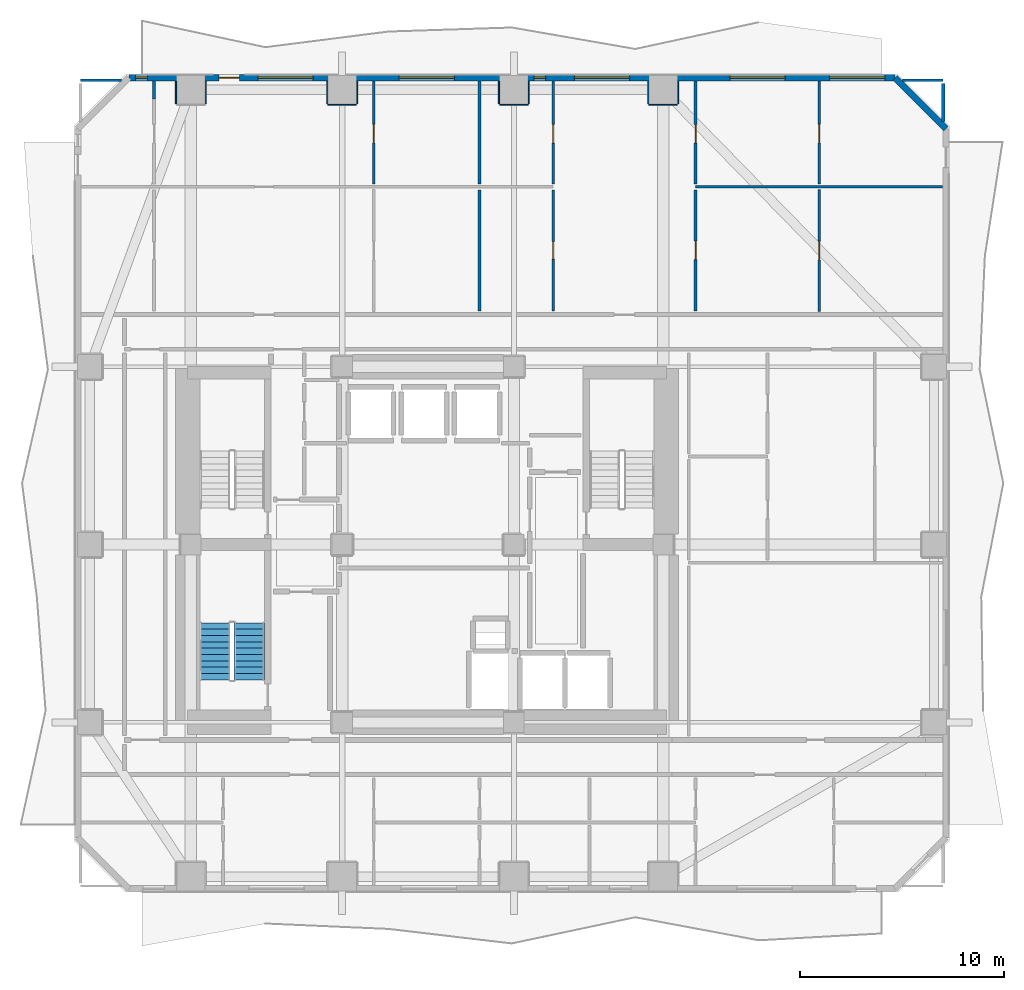
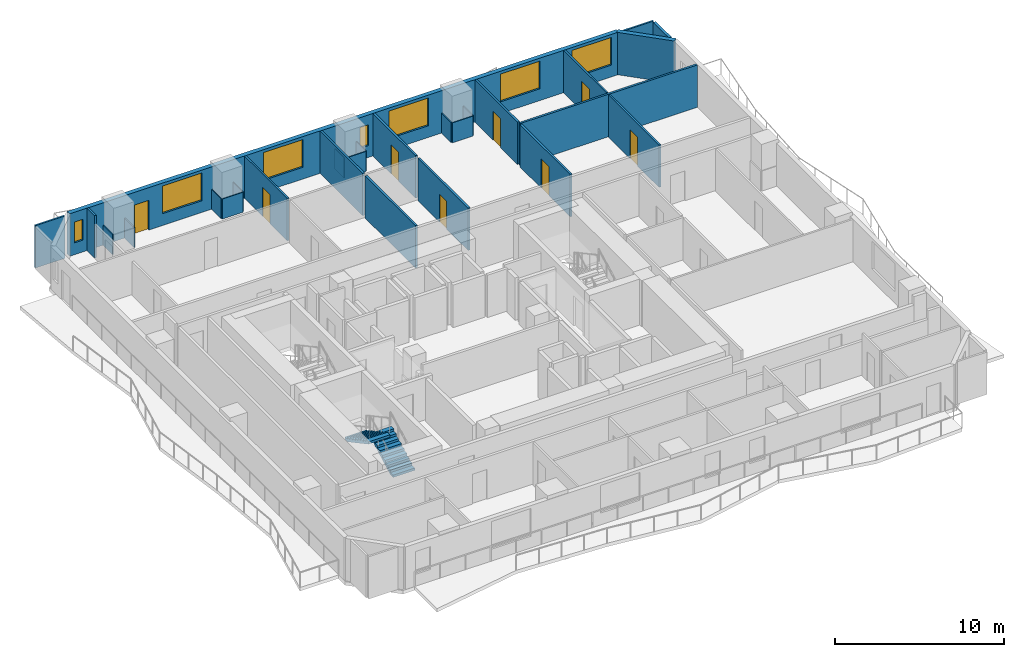
# One storey, part 6 of 11: 27 walls, 8 doors, 7 windows, 2 stair flights, 15 openings, 1 element without a shape of its own.
"""IFC4 building model written with IfcOpenShell, lengths in metres."""

from ifc_helpers import new_model, si_unit, direction, frame, frame_2d, origin, place, context, subcontext, project, spatial, polyline, rectangle, outline, extrude, material, layer, layer_set, type_object, element, fill, aggregate, save


model = new_model("IFC4")

# Units and contexts
model_context = context("Model", 3, precision=1e-05, world=origin(), true_north=direction((0.0, 1.0)))
body_context = subcontext(model_context, "Body", "Model", "MODEL_VIEW")
ifc_project = project(units=[si_unit("LENGTHUNIT", "METRE"), si_unit("AREAUNIT", "SQUARE_METRE"), si_unit("VOLUMEUNIT", "CUBIC_METRE"), si_unit("PLANEANGLEUNIT", "RADIAN"), si_unit("MASSUNIT", "GRAM", prefix="KILO")], contexts=[model_context])

# Site, building, storey
site_placement = place(None, origin())
site = spatial("IfcSite", under=ifc_project, at=site_placement, CompositionType="ELEMENT")
building_placement = place(site_placement, origin())
building = spatial("IfcBuilding", under=site, at=building_placement, Name="Solanera Arch Residences", CompositionType="ELEMENT")
storey_placement = place(building_placement, frame((0.0, 0.0, 68.47998046875)))
storey = spatial("IfcBuildingStorey", under=building, at=storey_placement, Name="L19", CompositionType="ELEMENT", Elevation=68.47998046875)

# Walls
ifc_material_1 = material(Name="Fire-Rated Gypsum Stud Partition", Category="gypsum")
ifc_layer_1 = layer(ifc_material_1, 0.06005859375)
ifc_layer_set_1 = layer_set([ifc_layer_1], Name="Fire-Rated Gypsum Stud Partition")
wall_type_1 = type_object("IfcWallType", Name="Column Acoustic Furring Wall 60", PredefinedType="PARTITIONING", material=ifc_layer_set_1)
for number, where, z_axis, x_axis, name in (
    (1, (12.66796875, 52.25, 0.0), (0.0, 0.0, 1.0), (0.0, 1.0, 0.0), "L19 Column Furring 10W"),
    (2, (14.132080078125, 52.25, 0.0), (0.0, 0.0, 1.0), (0.0, 1.0, 0.0), "L19 Column Furring 10E"),
):
    element("IfcWall", number, at=place(storey_placement, frame(where, z_axis=z_axis, x_axis=x_axis)), inside=storey, type_object=wall_type_1, Name=name, PredefinedType="PARTITIONING", context=body_context, shape_type="SweptSolid", body=[
        extrude(rectangle(XDim=1.1201171875, YDim=0.06005859375, at=frame_2d((0.56005859375, 0.0))), origin(), (0.0, 0.0, 1.0), 1.449951171875),
    ])
wall_1_placement = place(storey_placement, frame((20.10009765625, 52.218017578125, 0.0), z_axis=(0.0, 0.0, 1.0), x_axis=(1.0, 0.0, 0.0)))
element("IfcWall", 3, at=wall_1_placement, inside=storey, type_object=wall_type_1, Name="L19 Column Furring 12S", PredefinedType="PARTITIONING", context=body_context, shape_type="SweptSolid", body=[
    extrude(rectangle(XDim=1.39990234375, YDim=0.06005859375, at=frame_2d((0.699951171875, 0.0))), origin(), (0.0, 0.0, 1.0), 1.449951171875),
])
for number, where, z_axis, x_axis, name in (
    (4, (20.068115234375, 52.25, 0.0), (0.0, 0.0, 1.0), (0.0, 1.0, 0.0), "L19 Column Furring 12W"),
    (5, (21.531982421875, 52.25, 0.0), (0.0, 0.0, 1.0), (0.0, 1.0, 0.0), "L19 Column Furring 12E"),
):
    element("IfcWall", number, at=place(storey_placement, frame(where, z_axis=z_axis, x_axis=x_axis)), inside=storey, type_object=wall_type_1, Name=name, PredefinedType="PARTITIONING", context=body_context, shape_type="SweptSolid", body=[
        extrude(rectangle(XDim=1.1201171875, YDim=0.06005859375, at=frame_2d((0.56005859375, 0.0))), origin(), (0.0, 0.0, 1.0), 1.449951171875),
    ])
wall_2_placement = place(storey_placement, frame((28.5, 52.218017578125, 0.0), z_axis=(0.0, 0.0, 1.0), x_axis=(1.0, 0.0, 0.0)))
element("IfcWall", 6, at=wall_2_placement, inside=storey, type_object=wall_type_1, Name="L19 Column Furring 14S", PredefinedType="PARTITIONING", context=body_context, shape_type="SweptSolid", body=[
    extrude(rectangle(XDim=1.39990234375, YDim=0.06005859375, at=frame_2d((0.699951171875, 0.0))), origin(), (0.0, 0.0, 1.0), 1.449951171875),
])
for number, where, z_axis, x_axis, name in (
    (7, (28.468017578125, 52.25, 0.0), (0.0, 0.0, 1.0), (0.0, 1.0, 0.0), "L19 Column Furring 14W"),
    (8, (29.931884765625, 52.25, 0.0), (0.0, 0.0, 1.0), (0.0, 1.0, 0.0), "L19 Column Furring 14E"),
):
    element("IfcWall", number, at=place(storey_placement, frame(where, z_axis=z_axis, x_axis=x_axis)), inside=storey, type_object=wall_type_1, Name=name, PredefinedType="PARTITIONING", context=body_context, shape_type="SweptSolid", body=[
        extrude(rectangle(XDim=1.1201171875, YDim=0.06005859375, at=frame_2d((0.56005859375, 0.0))), origin(), (0.0, 0.0, 1.0), 1.449951171875),
    ])
wall_3_placement = place(storey_placement, frame((35.800048828125, 52.218017578125, 0.0), z_axis=(0.0, 0.0, 1.0), x_axis=(1.0, 0.0, 0.0)))
element("IfcWall", 9, at=wall_3_placement, inside=storey, type_object=wall_type_1, Name="L19 Column Furring 16S", PredefinedType="PARTITIONING", context=body_context, shape_type="SweptSolid", body=[
    extrude(rectangle(XDim=1.39990234375, YDim=0.06005859375, at=frame_2d((0.699951171875, 0.0))), origin(), (0.0, 0.0, 1.0), 1.449951171875),
])
for number, where, z_axis, x_axis, name in (
    (10, (35.76806640625, 52.25, 0.0), (0.0, 0.0, 1.0), (0.0, 1.0, 0.0), "L19 Column Furring 16W"),
    (11, (37.23193359375, 52.25, 0.0), (0.0, 0.0, 1.0), (0.0, 1.0, 0.0), "L19 Column Furring 16E"),
):
    element("IfcWall", number, at=place(storey_placement, frame(where, z_axis=z_axis, x_axis=x_axis)), inside=storey, type_object=wall_type_1, Name=name, PredefinedType="PARTITIONING", context=body_context, shape_type="SweptSolid", body=[
        extrude(rectangle(XDim=1.1201171875, YDim=0.06005859375, at=frame_2d((0.56005859375, 0.0))), origin(), (0.0, 0.0, 1.0), 1.449951171875),
    ])
ifc_material_2 = material(Name="Autoclaved Aerated Concrete Blockwork", Category="masonry")
ifc_layer_2 = layer(ifc_material_2, 0.179931640625)
ifc_layer_set_2 = layer_set([ifc_layer_2], Name="Autoclaved Aerated Concrete Blockwork")
wall_type_2 = type_object("IfcWallType", Name="Corridor Fire Partition 180", PredefinedType="PARTITIONING", material=ifc_layer_set_2)
wall_4_placement = place(storey_placement, frame((50.199951171875, 51.39892578125, 0.0), z_axis=(0.0, 0.0, 1.0), x_axis=(0.0, 1.0, 0.0)))
element("IfcWall", 12, at=wall_4_placement, inside=storey, type_object=wall_type_2, Name="L19 Interior Partition V9 2", PredefinedType="PARTITIONING", context=body_context, shape_type="SweptSolid", body=[
    extrude(rectangle(XDim=1.843017578125, YDim=0.179931640625, at=frame_2d((0.92138671875, 0.0))), origin(), (0.0, 0.0, 1.0), 3.06005859375),
])

# Wall, openings, door, windows
ifc_material_3 = material(Name="Precast Concrete C35/45", Category="concrete")
ifc_layer_3 = layer(ifc_material_3, 0.300048828125)
ifc_layer_set_3 = layer_set([ifc_layer_3], Name="Precast Concrete C35/45")
wall_type_3 = type_object("IfcWallType", Name="Exterior Wall Precast Masonry-Frame 300", PredefinedType="STANDARD", material=ifc_layer_set_3)
wall_5_placement = place(storey_placement, frame((10.364990234375, 53.534912109375, 0.0), z_axis=(0.0, 0.0, 1.0), x_axis=(1.0, 0.0, 0.0)))
wall_5 = element("IfcWall", 13, at=wall_5_placement, inside=storey, type_object=wall_type_3, Name="L19 Tower Exterior Precast Masonry-Frame Wall N", PredefinedType="STANDARD", context=body_context, shape_type="SweptSolid", body=[
    extrude(rectangle(XDim=37.469970703125, YDim=0.300048828125, at=frame_2d((18.73486328125, 0.0))), origin(), (0.0, 0.0, 1.0), 3.06005859375),
])
opening_1_placement = place(wall_5_placement, frame((4.403076171875, 0.0, 0.0)))
opening_1 = element("IfcOpeningElement", 14, at=opening_1_placement, cuts=wall_5, Name="Opening DB-01", PredefinedType="OPENING", context=body_context, shape_type="SweptSolid", body=[
    extrude(rectangle(XDim=1.0, YDim=2.14990234375, at=frame_2d((0.5, 1.074951171875))), frame((0.0, 0.159912109375, 0.0), z_axis=(0.0, -1.0, 0.0), x_axis=(1.0, 0.0, 0.0)), (0.0, 0.0, 1.0), 0.32),
])
opening_2_placement = place(wall_5_placement, frame((6.319091796875, 0.0, 0.85009765625)))
opening_2 = element("IfcOpeningElement", 15, at=opening_2_placement, cuts=wall_5, Name="Opening W-09", PredefinedType="OPENING", context=body_context, shape_type="SweptSolid", body=[
    extrude(rectangle(XDim=2.699951171875, YDim=2.0, at=frame_2d((1.35009765625, 1.0))), frame((0.0, 0.159912109375, 0.0), z_axis=(0.0, -1.0, 0.0), x_axis=(1.0, 0.0, 0.0)), (0.0, 0.0, 1.0), 0.32),
])
opening_3_placement = place(wall_5_placement, frame((0.323974609375, 0.0, 0.85009765625)))
opening_3 = element("IfcOpeningElement", 16, at=opening_3_placement, cuts=wall_5, Name="Opening W-14", PredefinedType="OPENING", context=body_context, shape_type="SweptSolid", body=[
    extrude(rectangle(XDim=0.580078125, YDim=1.5, at=frame_2d((0.2900390625, 0.75))), frame((0.0, 0.159912109375, 0.0), z_axis=(0.0, -1.0, 0.0), x_axis=(1.0, 0.0, 0.0)), (0.0, 0.0, 1.0), 0.32),
])
opening_4_placement = place(wall_5_placement, frame((13.220947265625, 0.0, 0.85009765625)))
opening_4 = element("IfcOpeningElement", 17, at=opening_4_placement, cuts=wall_5, Name="Opening W-09", PredefinedType="OPENING", context=body_context, shape_type="SweptSolid", body=[
    extrude(rectangle(XDim=2.699951171875, YDim=2.0, at=frame_2d((1.35009765625, 1.0))), frame((0.0, 0.159912109375, 0.0), z_axis=(0.0, -1.0, 0.0), x_axis=(1.0, 0.0, 0.0)), (0.0, 0.0, 1.0), 0.32),
])
opening_5_placement = place(wall_5_placement, frame((21.797119140625, 0.0, 0.85009765625)))
opening_5 = element("IfcOpeningElement", 18, at=opening_5_placement, cuts=wall_5, Name="Opening W-09", PredefinedType="OPENING", context=body_context, shape_type="SweptSolid", body=[
    extrude(rectangle(XDim=2.699951171875, YDim=2.0, at=frame_2d((1.35009765625, 1.0))), frame((0.0, 0.159912109375, 0.0), z_axis=(0.0, -1.0, 0.0), x_axis=(1.0, 0.0, 0.0)), (0.0, 0.0, 1.0), 0.32),
])
opening_6_placement = place(wall_5_placement, frame((19.806884765625, 0.0, 0.85009765625)))
opening_6 = element("IfcOpeningElement", 19, at=opening_6_placement, cuts=wall_5, Name="Opening W-14", PredefinedType="OPENING", context=body_context, shape_type="SweptSolid", body=[
    extrude(rectangle(XDim=0.580078125, YDim=1.5, at=frame_2d((0.2900390625, 0.75))), frame((0.0, 0.159912109375, 0.0), z_axis=(0.0, -1.0, 0.0), x_axis=(1.0, 0.0, 0.0)), (0.0, 0.0, 1.0), 0.32),
])
opening_7_placement = place(wall_5_placement, frame((29.39501953125, 0.0, 0.85009765625)))
opening_7 = element("IfcOpeningElement", 20, at=opening_7_placement, cuts=wall_5, Name="Opening W-09", PredefinedType="OPENING", context=body_context, shape_type="SweptSolid", body=[
    extrude(rectangle(XDim=2.699951171875, YDim=2.0, at=frame_2d((1.35009765625, 1.0))), frame((0.0, 0.159912109375, 0.0), z_axis=(0.0, -1.0, 0.0), x_axis=(1.0, 0.0, 0.0)), (0.0, 0.0, 1.0), 0.32),
])
opening_8_placement = place(wall_5_placement, frame((34.277099609375, 0.0, 0.85009765625)))
opening_8 = element("IfcOpeningElement", 21, at=opening_8_placement, cuts=wall_5, Name="Opening W-09", PredefinedType="OPENING", context=body_context, shape_type="SweptSolid", body=[
    extrude(rectangle(XDim=2.699951171875, YDim=2.0, at=frame_2d((1.35009765625, 1.0))), frame((0.0, 0.159912109375, 0.0), z_axis=(0.0, -1.0, 0.0), x_axis=(1.0, 0.0, 0.0)), (0.0, 0.0, 1.0), 0.32),
])
ifc_material_4 = material(Name="Anodised Aluminium Alloy 6063-T6", Category="aluminium")
door_type_1 = type_object("IfcDoorType", Name="Glazed Balcony Swing Door DB-01", OperationType="NOTDEFINED", PredefinedType="DOOR", material=ifc_material_4)
door_1_placement = place(opening_1_placement, origin())
door_1 = element("IfcDoor", 22, at=door_1_placement, inside=storey, type_object=door_type_1, Name="DR-L19-OUT-02", OperationType="SINGLE_SWING_RIGHT", OverallHeight=2.14990234375, OverallWidth=1.0, PredefinedType="DOOR", context=body_context, shape_type="SweptSolid", body=[
    extrude(rectangle(XDim=1.0, YDim=2.14990234375, at=frame_2d((0.5, 1.074951171875))), frame((0.0, 0.02490234375, 0.0), z_axis=(0.0, -1.0, 0.0), x_axis=(1.0, 0.0, 0.0)), (0.0, 0.0, 1.0), 0.050048828125),
])
fill(opening_1, door_1)
ifc_material_5 = material(Name="Double Glazed Low-E Laminated Glass", Category="glass")
window_type_1 = type_object("IfcWindowType", Name="Punched Window W-09", PartitioningType="TRIPLE_PANEL_VERTICAL", PredefinedType="WINDOW", material=ifc_material_5)
window_1_placement = place(opening_2_placement, origin())
window_1 = element("IfcWindow", 23, at=window_1_placement, inside=storey, type_object=window_type_1, Name="L19 1903-LIV Punched Window", OverallHeight=2.0, OverallWidth=2.699951171875, PartitioningType="SINGLE_PANEL", PredefinedType="WINDOW", context=body_context, shape_type="SweptSolid", body=[
    extrude(rectangle(XDim=2.699951171875, YDim=2.0, at=frame_2d((1.35009765625, 1.0))), frame((0.0, 0.030029296875, 0.0), z_axis=(0.0, -1.0, 0.0), x_axis=(1.0, 0.0, 0.0)), (0.0, 0.0, 1.0), 0.06005859375),
])
fill(opening_2, window_1)
window_2_placement = place(opening_4_placement, origin())
window_2 = element("IfcWindow", 24, at=window_2_placement, inside=storey, type_object=window_type_1, Name="L19 1903-BR2 Punched Window", OverallHeight=2.0, OverallWidth=2.699951171875, PartitioningType="SINGLE_PANEL", PredefinedType="WINDOW", context=body_context, shape_type="SweptSolid", body=[
    extrude(rectangle(XDim=2.699951171875, YDim=2.0, at=frame_2d((1.35009765625, 1.0))), frame((0.0, 0.030029296875, 0.0), z_axis=(0.0, -1.0, 0.0), x_axis=(1.0, 0.0, 0.0)), (0.0, 0.0, 1.0), 0.06005859375),
])
fill(opening_4, window_2)
window_3_placement = place(opening_5_placement, origin())
window_3 = element("IfcWindow", 25, at=window_3_placement, inside=storey, type_object=window_type_1, Name="L19 1904-LIV Punched Window", OverallHeight=2.0, OverallWidth=2.699951171875, PartitioningType="SINGLE_PANEL", PredefinedType="WINDOW", context=body_context, shape_type="SweptSolid", body=[
    extrude(rectangle(XDim=2.699951171875, YDim=2.0, at=frame_2d((1.35009765625, 1.0))), frame((0.0, 0.030029296875, 0.0), z_axis=(0.0, -1.0, 0.0), x_axis=(1.0, 0.0, 0.0)), (0.0, 0.0, 1.0), 0.06005859375),
])
fill(opening_5, window_3)
window_4_placement = place(opening_7_placement, origin())
window_4 = element("IfcWindow", 26, at=window_4_placement, inside=storey, type_object=window_type_1, Name="L19 1904-BR2 Punched Window", OverallHeight=2.0, OverallWidth=2.699951171875, PartitioningType="SINGLE_PANEL", PredefinedType="WINDOW", context=body_context, shape_type="SweptSolid", body=[
    extrude(rectangle(XDim=2.699951171875, YDim=2.0, at=frame_2d((1.35009765625, 1.0))), frame((0.0, 0.030029296875, 0.0), z_axis=(0.0, -1.0, 0.0), x_axis=(1.0, 0.0, 0.0)), (0.0, 0.0, 1.0), 0.06005859375),
])
fill(opening_7, window_4)
window_5_placement = place(opening_8_placement, origin())
window_5 = element("IfcWindow", 27, at=window_5_placement, inside=storey, type_object=window_type_1, Name="L19 1904-BR3 Punched Window", OverallHeight=2.0, OverallWidth=2.699951171875, PartitioningType="SINGLE_PANEL", PredefinedType="WINDOW", context=body_context, shape_type="SweptSolid", body=[
    extrude(rectangle(XDim=2.699951171875, YDim=2.0, at=frame_2d((1.35009765625, 1.0))), frame((0.0, 0.030029296875, 0.0), z_axis=(0.0, -1.0, 0.0), x_axis=(1.0, 0.0, 0.0)), (0.0, 0.0, 1.0), 0.06005859375),
])
fill(opening_8, window_5)
ifc_material_6 = material(Name="Double Glazed Low-E Laminated Glass", Category="glass")
window_type_2 = type_object("IfcWindowType", Name="Punched Window W-14", PartitioningType="SINGLE_PANEL", PredefinedType="WINDOW", material=ifc_material_6)
window_6_placement = place(opening_3_placement, origin())
window_6 = element("IfcWindow", 28, at=window_6_placement, inside=storey, type_object=window_type_2, Name="L19 1903-BR1 Punched Window", OverallHeight=1.5, OverallWidth=0.580078125, PartitioningType="SINGLE_PANEL", PredefinedType="WINDOW", context=body_context, shape_type="SweptSolid", body=[
    extrude(rectangle(XDim=0.580078125, YDim=1.5, at=frame_2d((0.2900390625, 0.75))), frame((0.0, 0.030029296875, 0.0), z_axis=(0.0, -1.0, 0.0), x_axis=(1.0, 0.0, 0.0)), (0.0, 0.0, 1.0), 0.06005859375),
])
fill(opening_3, window_6)
window_7_placement = place(opening_6_placement, origin())
window_7 = element("IfcWindow", 29, at=window_7_placement, inside=storey, type_object=window_type_2, Name="L19 1904-BR1 Punched Window", OverallHeight=1.5, OverallWidth=0.580078125, PartitioningType="SINGLE_PANEL", PredefinedType="WINDOW", context=body_context, shape_type="SweptSolid", body=[
    extrude(rectangle(XDim=0.580078125, YDim=1.5, at=frame_2d((0.2900390625, 0.75))), frame((0.0, 0.030029296875, 0.0), z_axis=(0.0, -1.0, 0.0), x_axis=(1.0, 0.0, 0.0)), (0.0, 0.0, 1.0), 0.06005859375),
])
fill(opening_6, window_7)

# Walls
wall_6_placement = place(storey_placement, frame((47.8349609375, 53.534912109375, 0.0), z_axis=(0.0, 0.0, 1.0), x_axis=(0.707106781187, -0.707106781187, 0.0)))
element("IfcWall", 30, at=wall_6_placement, inside=storey, type_object=wall_type_3, Name="L19 Tower Exterior Precast Masonry-Frame Wall CH3", PredefinedType="STANDARD", context=body_context, shape_type="SweptSolid", body=[
    extrude(rectangle(XDim=3.53564453125, YDim=0.300048828125, at=frame_2d((1.767822265625, 0.0))), origin(), (0.0, 0.0, 1.0), 3.06005859375),
])
ifc_material_7 = material(Name="Fire-Rated Gypsum Stud Partition", Category="gypsum")
ifc_layer_4 = layer(ifc_material_7, 0.1201171875)
ifc_layer_set_4 = layer_set([ifc_layer_4], Name="Fire-Rated Gypsum Stud Partition")
wall_type_4 = type_object("IfcWallType", Name="Unit Drywall Partition 120", PredefinedType="PARTITIONING", material=ifc_layer_set_4)
for number, where, z_axis, x_axis, name in (
    (31, (8.0, 53.39990234375, 0.0), (0.0, 0.0, 1.0), (1.0, 0.0, 0.0), "L19 Interior Partition H21 1"),
    (32, (48.198974609375, 53.39990234375, 0.0), (0.0, 0.0, 1.0), (1.0, 0.0, 0.0), "L19 Interior Partition H21 2"),
):
    element("IfcWall", number, at=place(storey_placement, frame(where, z_axis=z_axis, x_axis=x_axis)), inside=storey, type_object=wall_type_4, Name=name, PredefinedType="PARTITIONING", context=body_context, shape_type="SweptSolid", body=[
        extrude(rectangle(XDim=2.0009765625, YDim=0.1201171875, at=frame_2d((1.00048828125, 0.0))), origin(), (0.0, 0.0, 1.0), 3.06005859375),
    ])

# Wall, opening, door
wall_7_placement = place(storey_placement, frame((22.35205078125, 48.337890625, 0.0), z_axis=(0.0, 0.0, 1.0), x_axis=(0.0, 1.0, 0.0)))
wall_7 = element("IfcWall", 33, at=wall_7_placement, inside=storey, type_object=wall_type_4, Name="L19 Interior Partition V23 2", PredefinedType="PARTITIONING", context=body_context, shape_type="SweptSolid", body=[
    extrude(rectangle(XDim=5.03515625, YDim=0.1201171875, at=frame_2d((2.517578125, 0.0))), origin(), (0.0, 0.0, 1.0), 3.06005859375),
])
opening_9_placement = place(wall_7_placement, frame((2.011962890625, 0.0, 0.0)))
opening_9 = element("IfcOpeningElement", 34, at=opening_9_placement, cuts=wall_7, Name="Opening DI-03", PredefinedType="OPENING", context=body_context, shape_type="SweptSolid", body=[
    extrude(rectangle(XDim=0.89990234375, YDim=2.10009765625, at=frame_2d((0.449951171875, 1.050048828125))), frame((0.0, 0.070068359375, 0.0), z_axis=(0.0, -1.0, 0.0), x_axis=(1.0, 0.0, 0.0)), (0.0, 0.0, 1.0), 0.1401),
])
ifc_material_8 = material(Name="Fire-Rated Architectural Hardwood", Category="wood")
door_type_2 = type_object("IfcDoorType", Name="Bedroom Swing Door DI-03", OperationType="NOTDEFINED", PredefinedType="DOOR", material=ifc_material_8)
door_2_placement = place(opening_9_placement, origin())
door_2 = element("IfcDoor", 35, at=door_2_placement, inside=storey, type_object=door_type_2, Name="DR-L19-IN-030", OperationType="SINGLE_SWING_RIGHT", OverallHeight=2.10009765625, OverallWidth=0.89990234375, PredefinedType="DOOR", context=body_context, shape_type="SweptSolid", body=[
    extrude(rectangle(XDim=0.89990234375, YDim=2.10009765625, at=frame_2d((0.449951171875, 1.050048828125))), frame((0.0, 0.02490234375, 0.0), z_axis=(0.0, -1.0, 0.0), x_axis=(1.0, 0.0, 0.0)), (0.0, 0.0, 1.0), 0.050048828125),
])
fill(opening_9, door_2)

wall_8_placement = place(storey_placement, frame((44.139892578125, 42.10791015625, 0.0), z_axis=(0.0, 0.0, 1.0), x_axis=(0.0, 1.0, 0.0)))
wall_8 = element("IfcWall", 36, at=wall_8_placement, inside=storey, type_object=wall_type_4, Name="L19 Interior Partition V24 1", PredefinedType="PARTITIONING", context=body_context, shape_type="SweptSolid", body=[
    extrude(rectangle(XDim=5.9541015625, YDim=0.1201171875, at=frame_2d((2.97705078125, 0.0))), origin(), (0.0, 0.0, 1.0), 3.06005859375),
])
opening_10_placement = place(wall_8_placement, frame((2.51708984375, 0.0, 0.0)))
opening_10 = element("IfcOpeningElement", 37, at=opening_10_placement, cuts=wall_8, Name="Opening DI-02", PredefinedType="OPENING", context=body_context, shape_type="SweptSolid", body=[
    extrude(rectangle(XDim=0.89990234375, YDim=2.10009765625, at=frame_2d((0.449951171875, 1.050048828125))), frame((0.0, 0.070068359375, 0.0), z_axis=(0.0, -1.0, 0.0), x_axis=(1.0, 0.0, 0.0)), (0.0, 0.0, 1.0), 0.1401),
])
ifc_material_9 = material(Name="Fire-Rated Architectural Hardwood", Category="wood")
door_type_3 = type_object("IfcDoorType", Name="Suite Room Swing Door DI-02", OperationType="NOTDEFINED", PredefinedType="DOOR", material=ifc_material_9)
door_3_placement = place(opening_10_placement, origin())
door_3 = element("IfcDoor", 38, at=door_3_placement, inside=storey, type_object=door_type_3, Name="DR-L19-IN-035", OperationType="SINGLE_SWING_LEFT", OverallHeight=2.10009765625, OverallWidth=0.89990234375, PredefinedType="DOOR", context=body_context, shape_type="SweptSolid", body=[
    extrude(rectangle(XDim=0.89990234375, YDim=2.10009765625, at=frame_2d((0.449951171875, 1.050048828125))), frame((0.0, 0.02490234375, 0.0), z_axis=(0.0, -1.0, 0.0), x_axis=(1.0, 0.0, 0.0)), (0.0, 0.0, 1.0), 0.050048828125),
])
fill(opening_10, door_3)

wall_9_placement = place(storey_placement, frame((44.139892578125, 48.337890625, 0.0), z_axis=(0.0, 0.0, 1.0), x_axis=(0.0, 1.0, 0.0)))
wall_9 = element("IfcWall", 39, at=wall_9_placement, inside=storey, type_object=wall_type_4, Name="L19 Interior Partition V24 2", PredefinedType="PARTITIONING", context=body_context, shape_type="SweptSolid", body=[
    extrude(rectangle(XDim=5.03515625, YDim=0.1201171875, at=frame_2d((2.517578125, 0.0))), origin(), (0.0, 0.0, 1.0), 3.06005859375),
])
opening_11_placement = place(wall_9_placement, frame((2.011962890625, 0.0, 0.0)))
opening_11 = element("IfcOpeningElement", 40, at=opening_11_placement, cuts=wall_9, Name="Opening DI-03", PredefinedType="OPENING", context=body_context, shape_type="SweptSolid", body=[
    extrude(rectangle(XDim=0.89990234375, YDim=2.10009765625, at=frame_2d((0.449951171875, 1.050048828125))), frame((0.0, 0.070068359375, 0.0), z_axis=(0.0, -1.0, 0.0), x_axis=(1.0, 0.0, 0.0)), (0.0, 0.0, 1.0), 0.1401),
])
door_4_placement = place(opening_11_placement, origin())
door_4 = element("IfcDoor", 41, at=door_4_placement, inside=storey, type_object=door_type_2, Name="DR-L19-IN-037", OperationType="SINGLE_SWING_LEFT", OverallHeight=2.10009765625, OverallWidth=0.89990234375, PredefinedType="DOOR", context=body_context, shape_type="SweptSolid", body=[
    extrude(rectangle(XDim=0.89990234375, YDim=2.10009765625, at=frame_2d((0.449951171875, 1.050048828125))), frame((0.0, 0.02490234375, 0.0), z_axis=(0.0, -1.0, 0.0), x_axis=(1.0, 0.0, 0.0)), (0.0, 0.0, 1.0), 0.050048828125),
])
fill(opening_11, door_4)

# Walls
ifc_material_10 = material(Name="Autoclaved Aerated Concrete Blockwork", Category="masonry")
ifc_layer_5 = layer(ifc_material_10, 0.139892578125)
ifc_layer_set_5 = layer_set([ifc_layer_5], Name="Autoclaved Aerated Concrete Blockwork")
wall_type_5 = type_object("IfcWallType", Name="Wet-Room Partition 140", PredefinedType="PARTITIONING", material=ifc_layer_set_5)
wall_10_placement = place(storey_placement, frame((38.080078125, 48.199951171875, 0.0), z_axis=(0.0, 0.0, 1.0), x_axis=(1.0, 0.0, 0.0)))
element("IfcWall", 42, at=wall_10_placement, inside=storey, type_object=wall_type_5, Name="L19 Interior Partition H18", PredefinedType="PARTITIONING", context=body_context, shape_type="SweptSolid", body=[
    extrude(rectangle(XDim=12.093017578125, YDim=0.139892578125, at=frame_2d((6.04638671875, 0.0))), origin(), (0.0, 0.0, 1.0), 3.06005859375),
])
wall_11_placement = place(storey_placement, frame((11.60400390625, 52.48291015625, 0.0), z_axis=(0.0, 0.0, 1.0), x_axis=(0.0, 1.0, 0.0)))
element("IfcWall", 43, at=wall_11_placement, inside=storey, type_object=wall_type_5, Name="L19 Interior Partition V12 3", PredefinedType="PARTITIONING", context=body_context, shape_type="SweptSolid", body=[
    extrude(rectangle(XDim=0.89013671875, YDim=0.139892578125, at=frame_2d((0.445068359375, 0.0))), origin(), (0.0, 0.0, 1.0), 3.06005859375),
])
wall_12_placement = place(storey_placement, frame((27.52001953125, 42.117919921875, 0.0), z_axis=(0.0, 0.0, 1.0), x_axis=(0.0, 1.0, 0.0)))
element("IfcWall", 44, at=wall_12_placement, inside=storey, type_object=wall_type_5, Name="L19 Interior Partition V15 1", PredefinedType="PARTITIONING", context=body_context, shape_type="SweptSolid", body=[
    extrude(rectangle(XDim=5.93408203125, YDim=0.139892578125, at=frame_2d((2.967041015625, 0.0))), origin(), (0.0, 0.0, 1.0), 3.06005859375),
])
wall_13_placement = place(storey_placement, frame((27.52001953125, 48.347900390625, 0.0), z_axis=(0.0, 0.0, 1.0), x_axis=(0.0, 1.0, 0.0)))
element("IfcWall", 45, at=wall_13_placement, inside=storey, type_object=wall_type_5, Name="L19 Interior Partition V15 2", PredefinedType="PARTITIONING", context=body_context, shape_type="SweptSolid", body=[
    extrude(rectangle(XDim=5.025146484375, YDim=0.139892578125, at=frame_2d((2.5126953125, 0.0))), origin(), (0.0, 0.0, 1.0), 3.06005859375),
])

# Wall, opening, door
wall_14_placement = place(storey_placement, frame((31.1240234375, 42.117919921875, 0.0), z_axis=(0.0, 0.0, 1.0), x_axis=(0.0, 1.0, 0.0)))
wall_14 = element("IfcWall", 46, at=wall_14_placement, inside=storey, type_object=wall_type_5, Name="L19 Interior Partition V16 1", PredefinedType="PARTITIONING", context=body_context, shape_type="SweptSolid", body=[
    extrude(rectangle(XDim=5.93408203125, YDim=0.139892578125, at=frame_2d((2.967041015625, 0.0))), origin(), (0.0, 0.0, 1.0), 3.06005859375),
])
opening_12_placement = place(wall_14_placement, frame((2.5400390625, 0.0, 0.0)))
opening_12 = element("IfcOpeningElement", 47, at=opening_12_placement, cuts=wall_14, Name="Opening DI-05", PredefinedType="OPENING", context=body_context, shape_type="SweptSolid", body=[
    extrude(rectangle(XDim=0.860107421875, YDim=2.02001953125, at=frame_2d((0.43017578125, 1.010009765625))), frame((0.0, 0.079833984375, 0.0), z_axis=(0.0, -1.0, 0.0), x_axis=(1.0, 0.0, 0.0)), (0.0, 0.0, 1.0), 0.1599),
])
ifc_material_11 = material(Name="Fire-Rated Architectural Hardwood", Category="wood")
door_type_4 = type_object("IfcDoorType", Name="Bathroom Swing Door DI-05", OperationType="NOTDEFINED", PredefinedType="DOOR", material=ifc_material_11)
door_5_placement = place(opening_12_placement, origin())
door_5 = element("IfcDoor", 48, at=door_5_placement, inside=storey, type_object=door_type_4, Name="DR-L19-IN-032", OperationType="SINGLE_SWING_RIGHT", OverallHeight=2.02001953125, OverallWidth=0.860107421875, PredefinedType="DOOR", context=body_context, shape_type="SweptSolid", body=[
    extrude(rectangle(XDim=0.860107421875, YDim=2.02001953125, at=frame_2d((0.43017578125, 1.010009765625))), frame((0.0, 0.02490234375, 0.0), z_axis=(0.0, -1.0, 0.0), x_axis=(1.0, 0.0, 0.0)), (0.0, 0.0, 1.0), 0.050048828125),
])
fill(opening_12, door_5)

wall_15_placement = place(storey_placement, frame((31.1240234375, 48.347900390625, 0.0), z_axis=(0.0, 0.0, 1.0), x_axis=(0.0, 1.0, 0.0)))
wall_15 = element("IfcWall", 49, at=wall_15_placement, inside=storey, type_object=wall_type_5, Name="L19 Interior Partition V16 2", PredefinedType="PARTITIONING", context=body_context, shape_type="SweptSolid", body=[
    extrude(rectangle(XDim=5.025146484375, YDim=0.139892578125, at=frame_2d((2.5126953125, 0.0))), origin(), (0.0, 0.0, 1.0), 3.06005859375),
])
opening_13_placement = place(wall_15_placement, frame((1.989013671875, 0.0, 0.0)))
opening_13 = element("IfcOpeningElement", 50, at=opening_13_placement, cuts=wall_15, Name="Opening DI-03", PredefinedType="OPENING", context=body_context, shape_type="SweptSolid", body=[
    extrude(rectangle(XDim=0.89990234375, YDim=2.10009765625, at=frame_2d((0.449951171875, 1.050048828125))), frame((0.0, 0.079833984375, 0.0), z_axis=(0.0, -1.0, 0.0), x_axis=(1.0, 0.0, 0.0)), (0.0, 0.0, 1.0), 0.1599),
])
door_6_placement = place(opening_13_placement, origin())
door_6 = element("IfcDoor", 51, at=door_6_placement, inside=storey, type_object=door_type_2, Name="DR-L19-IN-033", OperationType="SINGLE_SWING_LEFT", OverallHeight=2.10009765625, OverallWidth=0.89990234375, PredefinedType="DOOR", context=body_context, shape_type="SweptSolid", body=[
    extrude(rectangle(XDim=0.89990234375, YDim=2.10009765625, at=frame_2d((0.449951171875, 1.050048828125))), frame((0.0, 0.02490234375, 0.0), z_axis=(0.0, -1.0, 0.0), x_axis=(1.0, 0.0, 0.0)), (0.0, 0.0, 1.0), 0.050048828125),
])
fill(opening_13, door_6)

wall_16_placement = place(storey_placement, frame((38.083984375, 42.117919921875, 0.0), z_axis=(0.0, 0.0, 1.0), x_axis=(0.0, 1.0, 0.0)))
wall_16 = element("IfcWall", 52, at=wall_16_placement, inside=storey, type_object=wall_type_5, Name="L19 Interior Partition V20 1", PredefinedType="PARTITIONING", context=body_context, shape_type="SweptSolid", body=[
    extrude(rectangle(XDim=5.93408203125, YDim=0.139892578125, at=frame_2d((2.967041015625, 0.0))), origin(), (0.0, 0.0, 1.0), 3.06005859375),
])
opening_14_placement = place(wall_16_placement, frame((2.52001953125, 0.0, 0.0)))
opening_14 = element("IfcOpeningElement", 53, at=opening_14_placement, cuts=wall_16, Name="Opening DI-02", PredefinedType="OPENING", context=body_context, shape_type="SweptSolid", body=[
    extrude(rectangle(XDim=0.89990234375, YDim=2.10009765625, at=frame_2d((0.449951171875, 1.050048828125))), frame((0.0, 0.079833984375, 0.0), z_axis=(0.0, -1.0, 0.0), x_axis=(1.0, 0.0, 0.0)), (0.0, 0.0, 1.0), 0.1599),
])
door_7_placement = place(opening_14_placement, origin())
door_7 = element("IfcDoor", 54, at=door_7_placement, inside=storey, type_object=door_type_3, Name="DR-L19-IN-034", OperationType="SINGLE_SWING_RIGHT", OverallHeight=2.10009765625, OverallWidth=0.89990234375, PredefinedType="DOOR", context=body_context, shape_type="SweptSolid", body=[
    extrude(rectangle(XDim=0.89990234375, YDim=2.10009765625, at=frame_2d((0.449951171875, 1.050048828125))), frame((0.0, 0.02490234375, 0.0), z_axis=(0.0, -1.0, 0.0), x_axis=(1.0, 0.0, 0.0)), (0.0, 0.0, 1.0), 0.050048828125),
])
fill(opening_14, door_7)

wall_17_placement = place(storey_placement, frame((38.083984375, 48.347900390625, 0.0), z_axis=(0.0, 0.0, 1.0), x_axis=(0.0, 1.0, 0.0)))
wall_17 = element("IfcWall", 55, at=wall_17_placement, inside=storey, type_object=wall_type_5, Name="L19 Interior Partition V20 2", PredefinedType="PARTITIONING", context=body_context, shape_type="SweptSolid", body=[
    extrude(rectangle(XDim=5.025146484375, YDim=0.139892578125, at=frame_2d((2.5126953125, 0.0))), origin(), (0.0, 0.0, 1.0), 3.06005859375),
])
opening_15_placement = place(wall_17_placement, frame((1.989013671875, 0.0, 0.0)))
opening_15 = element("IfcOpeningElement", 56, at=opening_15_placement, cuts=wall_17, Name="Opening DI-03", PredefinedType="OPENING", context=body_context, shape_type="SweptSolid", body=[
    extrude(rectangle(XDim=0.89990234375, YDim=2.10009765625, at=frame_2d((0.449951171875, 1.050048828125))), frame((0.0, 0.079833984375, 0.0), z_axis=(0.0, -1.0, 0.0), x_axis=(1.0, 0.0, 0.0)), (0.0, 0.0, 1.0), 0.1599),
])
door_8_placement = place(opening_15_placement, origin())
door_8 = element("IfcDoor", 57, at=door_8_placement, inside=storey, type_object=door_type_2, Name="DR-L19-IN-036", OperationType="SINGLE_SWING_RIGHT", OverallHeight=2.10009765625, OverallWidth=0.89990234375, PredefinedType="DOOR", context=body_context, shape_type="SweptSolid", body=[
    extrude(rectangle(XDim=0.89990234375, YDim=2.10009765625, at=frame_2d((0.449951171875, 1.050048828125))), frame((0.0, 0.02490234375, 0.0), z_axis=(0.0, -1.0, 0.0), x_axis=(1.0, 0.0, 0.0)), (0.0, 0.0, 1.0), 0.050048828125),
])
fill(opening_15, door_8)

# Stair, stair flights
ifc_material_12 = material(Name="Concrete C40/50 (f'c = 45 MPa)", Category="concrete")
stair_type = type_object("IfcStairType", Name="Tower Dogleg Exit Stair 1480", PredefinedType="HALF_TURN_STAIR", material=ifc_material_12)
stair_placement = place(storey_placement, origin())
stair = element("IfcStair", 58, at=stair_placement, inside=storey, type_object=stair_type, Name="L19 Tower Core Exit Stair 3", PredefinedType="HALF_TURN_STAIR")
ifc_material_13 = material(Name="Concrete C40/50 (f'c = 45 MPa)", Category="concrete")
stair_flight_type = type_object("IfcStairFlightType", Name="Tower Precast Stair Flight 1480", PredefinedType="STRAIGHT", material=ifc_material_13)
stair_flight_1_placement = place(storey_placement, frame((16.260009765625, 24.080078125, 0.0), z_axis=(0.0, 0.0, 1.0), x_axis=(0.0, 1.0, 0.0)))
stair_flight_1 = element("IfcStairFlight", 59, at=stair_flight_1_placement, type_object=stair_flight_type, Name="ST-T3 flight 1", NumberOfRisers=10, NumberOfTreads=9, PredefinedType="STRAIGHT", RiserHeight=0.166, TreadLength=0.31, context=body_context, shape_type="SweptSolid", body=[
    extrude(outline(polyline([(0.0, 0.0), (0.0, 0.166015625), (0.31005859375, 0.166015625), (0.31005859375, 0.33203125), (0.6201171875, 0.33203125), (0.6201171875, 0.498046875), (0.929931640625, 0.498046875), (0.929931640625, 0.6640625), (1.239990234375, 0.6640625), (1.239990234375, 0.830078125), (1.550048828125, 0.830078125), (1.550048828125, 0.99609375), (1.860107421875, 0.99609375), (1.860107421875, 1.162109375), (2.169921875, 1.162109375), (2.169921875, 1.327880859375), (2.47998046875, 1.327880859375), (2.47998046875, 1.493896484375), (2.7900390625, 1.493896484375), (2.7900390625, 1.659912109375), (2.7900390625, 1.323974609375), (0.317626953125, 0.0), (0.0, 0.0)])), frame((0.0, 0.739990234375, 0.0), z_axis=(0.0, -1.0, 0.0), x_axis=(1.0, 0.0, 0.0)), (0.0, 0.0, 1.0), 1.47998046875),
])
stair_flight_2_placement = place(storey_placement, frame((14.580078125, 26.8701171875, 1.659912109375), z_axis=(0.0, 0.0, 1.0), x_axis=(0.0, -1.0, 0.0)))
stair_flight_2 = element("IfcStairFlight", 60, at=stair_flight_2_placement, type_object=stair_flight_type, Name="ST-T3 flight 2", NumberOfRisers=10, NumberOfTreads=9, PredefinedType="STRAIGHT", RiserHeight=0.166, TreadLength=0.31, context=body_context, shape_type="SweptSolid", body=[
    extrude(outline(polyline([(0.0, 0.0), (0.0, 0.166015625), (0.31005859375, 0.166015625), (0.31005859375, 0.33203125), (0.6201171875, 0.33203125), (0.6201171875, 0.498046875), (0.929931640625, 0.498046875), (0.929931640625, 0.6640625), (1.239990234375, 0.6640625), (1.239990234375, 0.830078125), (1.550048828125, 0.830078125), (1.550048828125, 0.99609375), (1.860107421875, 0.99609375), (1.860107421875, 1.162109375), (2.169921875, 1.162109375), (2.169921875, 1.327880859375), (2.47998046875, 1.327880859375), (2.47998046875, 1.493896484375), (2.7900390625, 1.493896484375), (2.7900390625, 1.659912109375), (2.7900390625, 1.323974609375), (0.317626953125, 0.0), (0.0, 0.0)])), frame((0.0, 0.739990234375, 0.0), z_axis=(0.0, -1.0, 0.0), x_axis=(1.0, 0.0, 0.0)), (0.0, 0.0, 1.0), 1.47998046875),
])
aggregate(stair, [stair_flight_1, stair_flight_2])

save(model, "model.ifc")
